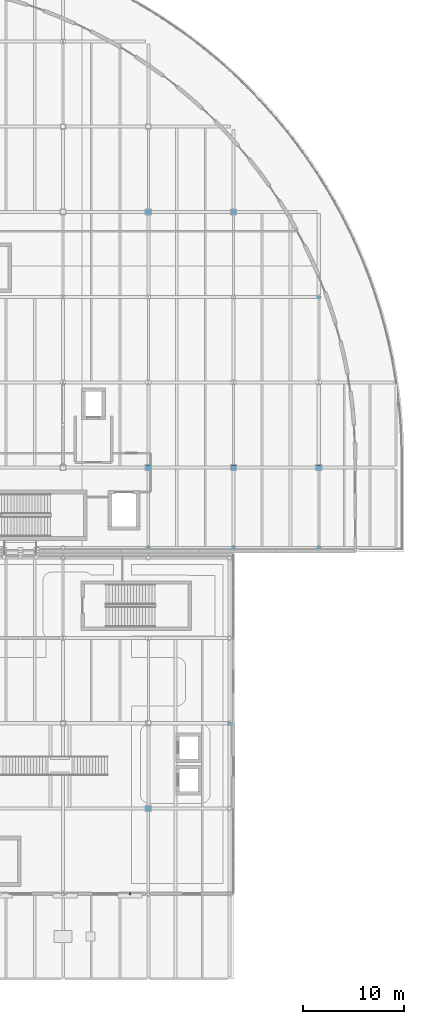
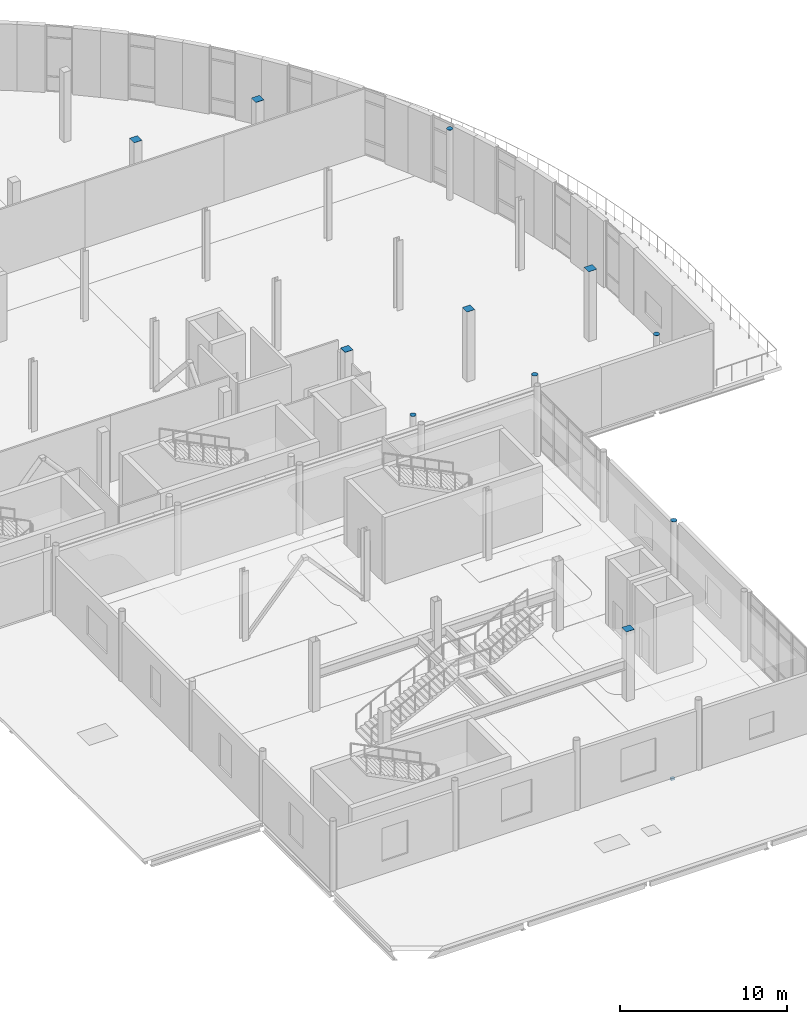
# One storey, part 84 of 103: 12 discrete accessories.
"""IFC4 building model written with IfcOpenShell, lengths in metres."""

from ifc_helpers import new_model, si_unit, direction, frame, origin, origin_2d, place, context, subcontext, project, spatial, rectangle, circle, extrude, material, type_object, element, save


model = new_model("IFC4")

# Units and contexts
model_context = context("Model", 3, precision=1e-05, world=origin(), true_north=direction((0.0, 1.0)))
body_context = subcontext(model_context, "Body", "Model", "MODEL_VIEW")
ifc_project = project(units=[si_unit("LENGTHUNIT", "METRE"), si_unit("AREAUNIT", "SQUARE_METRE"), si_unit("VOLUMEUNIT", "CUBIC_METRE"), si_unit("PLANEANGLEUNIT", "RADIAN"), si_unit("MASSUNIT", "GRAM", prefix="KILO"), si_unit("THERMODYNAMICTEMPERATUREUNIT", "KELVIN")], contexts=[model_context])

# Site, building, storey
site_placement = place(None, origin())
site = spatial("IfcSite", under=ifc_project, at=site_placement, CompositionType="ELEMENT")
building_placement = place(site_placement, origin())
building = spatial("IfcBuilding", under=site, at=building_placement, Name="Lustrewick Department Store", CompositionType="ELEMENT")
storey_placement = place(building_placement, frame((0.0, 0.0, 16.5)))
storey = spatial("IfcBuildingStorey", under=building, at=storey_placement, Name="L04", CompositionType="ELEMENT", Elevation=16.5)

# Discrete accessories
ifc_material_1 = material(Name="Anodized filigree aluminium 6061-T6", Category="aluminium")
discrete_accessory_type_1 = type_object("IfcDiscreteAccessoryType", Name="BRK-FIL", PredefinedType="BRACKET", material=ifc_material_1)
discrete_accessory_1_placement = place(storey_placement, frame((141.0, 16.800048828125, -0.18994140625), z_axis=(0.0, 0.0, 1.0), x_axis=(1.0, 0.0, 0.0)))
element("IfcDiscreteAccessory", 1, at=discrete_accessory_1_placement, inside=storey, type_object=discrete_accessory_type_1, Name="L04 Sun Louvre Bracket 12", PredefinedType="BRACKET", context=body_context, shape_type="SweptSolid", body=[
    extrude(rectangle(XDim=0.239990234375, YDim=0.199951171875, at=origin_2d()), origin(), (0.0, 0.0, 1.0), 0.139892578125),
])
ifc_material_2 = material(Name="Structural steel Q355C", Category="steel")
discrete_accessory_type_2 = type_object("IfcDiscreteAccessoryType", Name="ECP-01", PredefinedType="USERDEFINED", material=ifc_material_2)
discrete_accessory_2_placement = place(storey_placement, frame((159.60009765625, 75.60009765625, 5.093994140625), z_axis=(0.0, 0.0, 1.0), x_axis=(1.0, 0.0, 0.0)))
element("IfcDiscreteAccessory", 2, at=discrete_accessory_2_placement, inside=storey, type_object=discrete_accessory_type_2, Name="L04 Welded Hollow-Section End-Cap Plate ECP-01", ObjectType="END_CAP_PLATE", PredefinedType="USERDEFINED", context=body_context, shape_type="SweptSolid", body=[
    extrude(circle(Radius=0.1884765625, at=origin_2d()), origin(), (0.0, 0.0, 1.0), 0.01611328125),
])
for number, where, z_axis, x_axis, name in (
    (3, (142.800048828125, 58.800048828125, 5.093994140625), (0.0, 0.0, 1.0), (1.0, 0.0, 0.0), "L04 Welded Hollow-Section End-Cap Plate ECP-01"),
    (4, (151.199951171875, 84.0, 5.093994140625), (0.0, 0.0, 1.0), (1.0, 0.0, 0.0), "L04 Welded Hollow-Section End-Cap Plate ECP-01"),
):
    element("IfcDiscreteAccessory", number, at=place(storey_placement, frame(where, z_axis=z_axis, x_axis=x_axis)), inside=storey, type_object=discrete_accessory_type_2, Name=name, ObjectType="END_CAP_PLATE", PredefinedType="USERDEFINED", context=body_context, shape_type="SweptSolid", body=[
        extrude(rectangle(XDim=0.550048828125, YDim=0.550048828125, at=origin_2d()), origin(), (0.0, 0.0, 1.0), 0.01611328125),
    ])
discrete_accessory_3_placement = place(storey_placement, frame((151.199951171875, 50.89990234375, 5.093994140625), z_axis=(0.0, 0.0, 1.0), x_axis=(1.0, 0.0, 0.0)))
element("IfcDiscreteAccessory", 5, at=discrete_accessory_3_placement, inside=storey, type_object=discrete_accessory_type_2, Name="L04 Welded Hollow-Section End-Cap Plate ECP-01", ObjectType="END_CAP_PLATE", PredefinedType="USERDEFINED", context=body_context, shape_type="SweptSolid", body=[
    extrude(circle(Radius=0.1884765625, at=origin_2d()), origin(), (0.0, 0.0, 1.0), 0.01611328125),
])
discrete_accessory_4_placement = place(storey_placement, frame((159.60009765625, 58.800048828125, 5.093994140625), z_axis=(0.0, 0.0, 1.0), x_axis=(1.0, 0.0, 0.0)))
element("IfcDiscreteAccessory", 6, at=discrete_accessory_4_placement, inside=storey, type_object=discrete_accessory_type_2, Name="L04 Welded Hollow-Section End-Cap Plate ECP-01", ObjectType="END_CAP_PLATE", PredefinedType="USERDEFINED", context=body_context, shape_type="SweptSolid", body=[
    extrude(rectangle(XDim=0.550048828125, YDim=0.550048828125, at=origin_2d()), origin(), (0.0, 0.0, 1.0), 0.01611328125),
])
discrete_accessory_5_placement = place(storey_placement, frame((150.800048828125, 33.60009765625, 5.093994140625), z_axis=(0.0, 0.0, 1.0), x_axis=(1.0, 0.0, 0.0)))
element("IfcDiscreteAccessory", 7, at=discrete_accessory_5_placement, inside=storey, type_object=discrete_accessory_type_2, Name="L04 Welded Hollow-Section End-Cap Plate ECP-01", ObjectType="END_CAP_PLATE", PredefinedType="USERDEFINED", context=body_context, shape_type="SweptSolid", body=[
    extrude(circle(Radius=0.1884765625, at=origin_2d()), origin(), (0.0, 0.0, 1.0), 0.01611328125),
])
for number, where, z_axis, x_axis, name in (
    (8, (142.800048828125, 84.0, 5.093994140625), (0.0, 0.0, 1.0), (1.0, 0.0, 0.0), "L04 Welded Hollow-Section End-Cap Plate ECP-01"),
    (9, (142.800048828125, 25.199951171875, 5.093994140625), (0.0, 0.0, 1.0), (1.0, 0.0, 0.0), "L04 Welded Hollow-Section End-Cap Plate ECP-01"),
    (10, (151.199951171875, 58.800048828125, 5.093994140625), (0.0, 0.0, 1.0), (1.0, 0.0, 0.0), "L04 Welded Hollow-Section End-Cap Plate ECP-01"),
):
    element("IfcDiscreteAccessory", number, at=place(storey_placement, frame(where, z_axis=z_axis, x_axis=x_axis)), inside=storey, type_object=discrete_accessory_type_2, Name=name, ObjectType="END_CAP_PLATE", PredefinedType="USERDEFINED", context=body_context, shape_type="SweptSolid", body=[
        extrude(rectangle(XDim=0.550048828125, YDim=0.550048828125, at=origin_2d()), origin(), (0.0, 0.0, 1.0), 0.01611328125),
    ])
for number, where, z_axis, x_axis, name in (
    (11, (142.800048828125, 50.89990234375, 5.093994140625), (0.0, 0.0, 1.0), (1.0, 0.0, 0.0), "L04 Welded Hollow-Section End-Cap Plate ECP-01"),
    (12, (159.60009765625, 50.89990234375, 5.093994140625), (0.0, 0.0, 1.0), (1.0, 0.0, 0.0), "L04 Welded Hollow-Section End-Cap Plate ECP-01"),
):
    element("IfcDiscreteAccessory", number, at=place(storey_placement, frame(where, z_axis=z_axis, x_axis=x_axis)), inside=storey, type_object=discrete_accessory_type_2, Name=name, ObjectType="END_CAP_PLATE", PredefinedType="USERDEFINED", context=body_context, shape_type="SweptSolid", body=[
        extrude(circle(Radius=0.1884765625, at=origin_2d()), origin(), (0.0, 0.0, 1.0), 0.01611328125),
    ])

save(model, "model.ifc")
